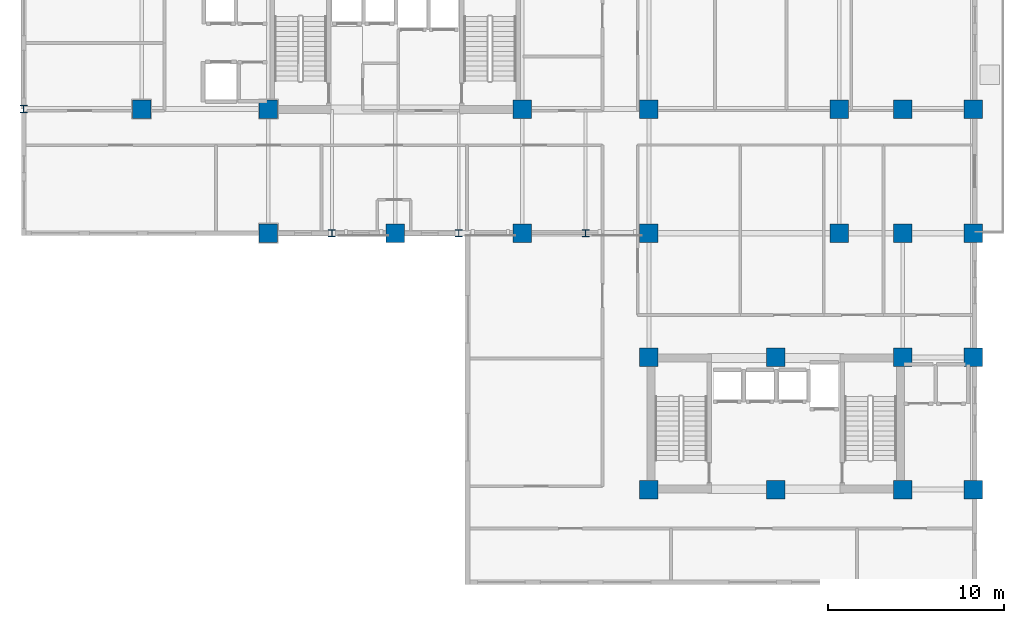
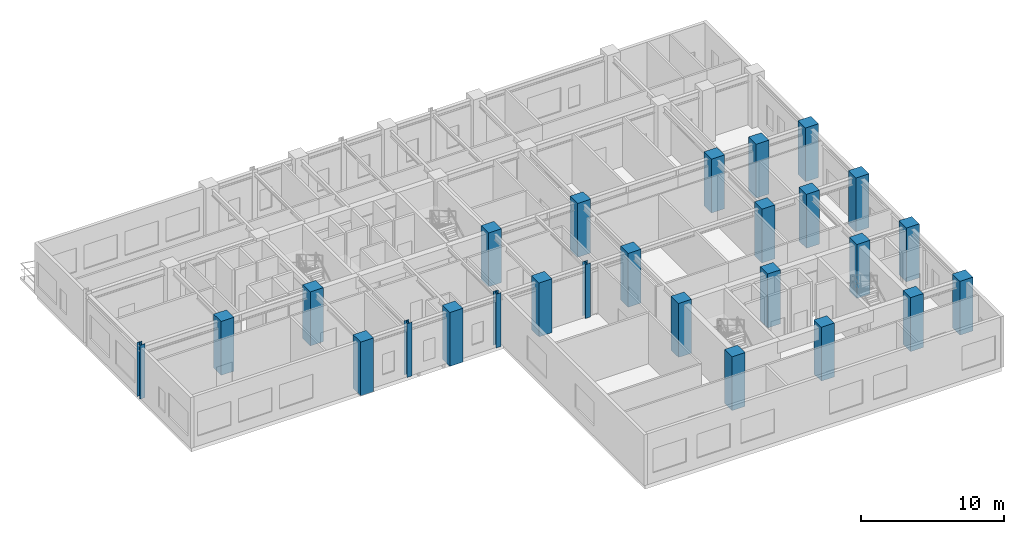
# One storey, part 1 of 14: 26 columns.
"""IFC4 building model written with IfcOpenShell, lengths in metres."""

from ifc_helpers import new_model, si_unit, direction, frame, origin, origin_2d, place, context, subcontext, project, spatial, rectangle, i_section, extrude, source, transform, mapped, material, material_profile, profile_set, type_object, element, save


model = new_model("IFC4")

# Units and contexts
model_context = context("Model", 3, precision=1e-05, world=origin(), true_north=direction((0.0, 1.0)))
body_context = subcontext(model_context, "Body", "Model", "MODEL_VIEW")
ifc_project = project(units=[si_unit("LENGTHUNIT", "METRE"), si_unit("AREAUNIT", "SQUARE_METRE"), si_unit("VOLUMEUNIT", "CUBIC_METRE"), si_unit("PLANEANGLEUNIT", "RADIAN"), si_unit("MASSUNIT", "GRAM", prefix="KILO")], contexts=[model_context])

# Site, building, storey
site_placement = place(None, origin())
site = spatial("IfcSite", under=ifc_project, at=site_placement, CompositionType="ELEMENT")
building_placement = place(site_placement, origin())
building = spatial("IfcBuilding", under=site, at=building_placement, Name="Kaliganga Portal Commons", CompositionType="ELEMENT")
storey_placement = place(building_placement, frame((0.0, 0.0, 135.60009765625)))
storey = spatial("IfcBuildingStorey", under=building, at=storey_placement, Name="L34", CompositionType="ELEMENT", Elevation=135.60009765625)

# Columns
ifc_material_1 = material(Name="Concrete C60/75", Category="concrete")
ifc_material_profile_1 = material_profile(ifc_material_1, rectangle(XDim=1.050048828125, YDim=1.050048828125, at=origin_2d()), Name="RC 1050x1050")
ifc_profile_set_1 = profile_set([ifc_material_profile_1], Name="Concrete C60/75")
column_type_1 = type_object("IfcColumnType", Name="COL-MEGA-Z3", PredefinedType="COLUMN", material=ifc_profile_set_1)
shared_shape_1 = source(origin(), body_context, "Body", "SweptSolid", [
    extrude(rectangle(XDim=1.050048828125, YDim=1.050048828125, at=origin_2d()), origin(), (0.0, 0.0, 1.0), 4.599853515625),
])
for number, where, z_axis, x_axis, name in (
    (1, (7.199951171875, 28.64990234375, 0.0), (0.0, 0.0, 1.0), (1.0, 0.0, 0.0), "Column MC-04 L34"),
    (2, (14.39990234375, 21.60009765625, 0.0), (0.0, 0.0, 1.0), (1.0, 0.0, 0.0), "Column MC-04 L34"),
    (3, (14.39990234375, 28.64990234375, 0.0), (0.0, 0.0, 1.0), (1.0, 0.0, 0.0), "Column MC-04 L34"),
    (4, (21.60009765625, 21.60009765625, 0.0), (0.0, 0.0, 1.0), (1.0, 0.0, 0.0), "Column MC-04 L34"),
    (5, (28.800048828125, 21.60009765625, 0.0), (0.0, 0.0, 1.0), (1.0, 0.0, 0.0), "Column MC-04 L34"),
    (6, (28.800048828125, 28.64990234375, 0.0), (0.0, 0.0, 1.0), (1.0, 0.0, 0.0), "Column MC-04 L34"),
    (7, (36.0, 21.60009765625, 0.0), (0.0, 0.0, 1.0), (1.0, 0.0, 0.0), "Column MC-04 L34"),
    (8, (36.0, 28.64990234375, 0.0), (0.0, 0.0, 1.0), (1.0, 0.0, 0.0), "Column MC-04 L34"),
    (9, (46.800048828125, 21.60009765625, 0.0), (0.0, 0.0, 1.0), (1.0, 0.0, 0.0), "Column MC-04 L34"),
    (10, (46.800048828125, 28.64990234375, 0.0), (0.0, 0.0, 1.0), (1.0, 0.0, 0.0), "Column MC-04 L34"),
    (11, (36.0, 7.050048828125, 0.0), (0.0, 0.0, 1.0), (1.0, 0.0, 0.0), "Column MC-04 L34"),
    (12, (36.0, 14.550048828125, 0.0), (0.0, 0.0, 1.0), (1.0, 0.0, 0.0), "Column MC-04 L34"),
    (13, (43.199951171875, 7.050048828125, 0.0), (0.0, 0.0, 1.0), (1.0, 0.0, 0.0), "Column MC-04 L34"),
    (14, (43.199951171875, 14.550048828125, 0.0), (0.0, 0.0, 1.0), (1.0, 0.0, 0.0), "Column MC-04 L34"),
    (15, (50.39990234375, 7.050048828125, 0.0), (0.0, 0.0, 1.0), (1.0, 0.0, 0.0), "Column MC-04 L34"),
    (16, (50.39990234375, 14.550048828125, 0.0), (0.0, 0.0, 1.0), (1.0, 0.0, 0.0), "Column MC-04 L34"),
    (17, (50.39990234375, 21.60009765625, 0.0), (0.0, 0.0, 1.0), (1.0, 0.0, 0.0), "Column MC-04 L34"),
    (18, (50.39990234375, 28.64990234375, 0.0), (0.0, 0.0, 1.0), (1.0, 0.0, 0.0), "Column MC-04 L34"),
    (19, (54.39990234375, 7.050048828125, 0.0), (0.0, 0.0, 1.0), (1.0, 0.0, 0.0), "Column MC-04 L34"),
    (20, (54.39990234375, 14.550048828125, 0.0), (0.0, 0.0, 1.0), (1.0, 0.0, 0.0), "Column MC-04 L34"),
    (21, (54.39990234375, 21.60009765625, 0.0), (0.0, 0.0, 1.0), (1.0, 0.0, 0.0), "Column MC-04 L34"),
    (22, (54.39990234375, 28.64990234375, 0.0), (0.0, 0.0, 1.0), (1.0, 0.0, 0.0), "Column MC-04 L34"),
):
    element("IfcColumn", number, at=place(storey_placement, frame(where, z_axis=z_axis, x_axis=x_axis)), inside=storey, type_object=column_type_1, Name=name, PredefinedType="COLUMN", context=body_context, shape_type="MappedRepresentation", body=[
        mapped(shared_shape_1, transform((0.0, 0.0, 0.0), x_axis=(1.0, 0.0, 0.0), y_axis=(0.0, 1.0, 0.0), z_axis=(0.0, 0.0, 1.0), scale=1.0)),
    ])
ifc_material_2 = material(Name="Structural steel S460M", Category="steel")
ifc_material_profile_2 = material_profile(ifc_material_2, i_section(OverallWidth=0.404052734375, OverallDepth=0.4140625, WebThickness=0.0205078125, FlangeThickness=0.028076171875, FilletRadius=0.014892578125, at=origin_2d()), Name="HD 400x347")
ifc_profile_set_2 = profile_set([ifc_material_profile_2], Name="Structural steel S460M wide-flange")
column_type_2 = type_object("IfcColumnType", Name="COL-TUBE-B3", PredefinedType="COLUMN", material=ifc_profile_set_2)
shared_shape_2 = source(origin(), body_context, "Body", "SweptSolid", [
    extrude(i_section(OverallWidth=0.404052734375, OverallDepth=0.4140625, WebThickness=0.0205078125, FlangeThickness=0.028076171875, FilletRadius=0.014892578125, at=origin_2d()), origin(), (0.0, 0.0, 1.0), 4.599853515625),
])
for number, where, z_axis, x_axis, name in (
    (23, (0.5, 28.64990234375, 0.0), (0.0, 0.0, 1.0), (1.0, 0.0, 0.0), "Column TC-03 L34"),
    (24, (18.0, 21.60009765625, 0.0), (0.0, 0.0, 1.0), (1.0, 0.0, 0.0), "Column TC-03 L34"),
    (25, (25.199951171875, 21.60009765625, 0.0), (0.0, 0.0, 1.0), (1.0, 0.0, 0.0), "Column TC-03 L34"),
    (26, (32.39990234375, 21.60009765625, 0.0), (0.0, 0.0, 1.0), (1.0, 0.0, 0.0), "Column TC-03 L34"),
):
    element("IfcColumn", number, at=place(storey_placement, frame(where, z_axis=z_axis, x_axis=x_axis)), inside=storey, type_object=column_type_2, Name=name, PredefinedType="COLUMN", context=body_context, shape_type="MappedRepresentation", body=[
        mapped(shared_shape_2, transform((0.0, 0.0, 0.0), x_axis=(1.0, 0.0, 0.0), y_axis=(0.0, 1.0, 0.0), z_axis=(0.0, 0.0, 1.0), scale=1.0)),
    ])

save(model, "model.ifc")
